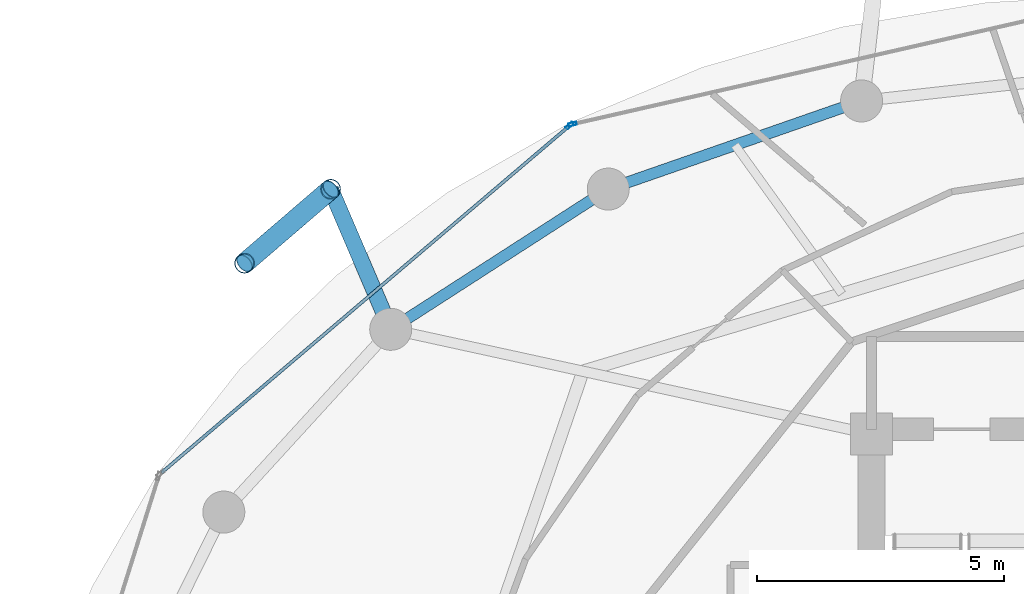
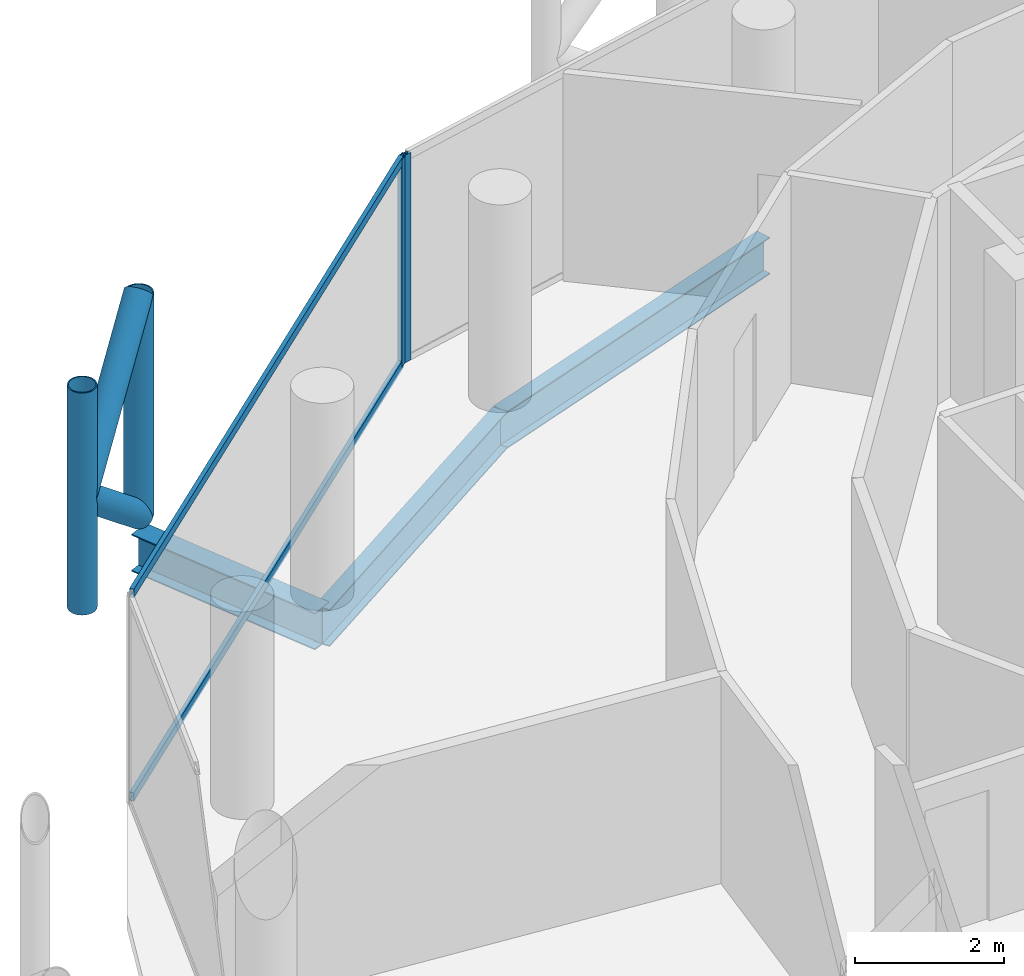
# One storey, part 18 of 27: 8 members, 3 beams, 2 elements without a shape of their own.
"""IFC4 building model written with IfcOpenShell, lengths in metres."""

from ifc_helpers import new_model, si_unit, direction, frame, origin, origin_2d, place, context, subcontext, project, spatial, hollow_rectangle, hollow_circle, i_section, extrude, material, layer, layer_set, material_profile, profile_set, type_object, element, aggregate, save


model = new_model("IFC4")

# Units and contexts
model_context = context("Model", 3, precision=1e-05, world=origin(), true_north=direction((0.0, 1.0)))
body_context = subcontext(model_context, "Body", "Model", "MODEL_VIEW")
ifc_project = project(units=[si_unit("LENGTHUNIT", "METRE"), si_unit("AREAUNIT", "SQUARE_METRE"), si_unit("VOLUMEUNIT", "CUBIC_METRE"), si_unit("PLANEANGLEUNIT", "RADIAN"), si_unit("MASSUNIT", "GRAM", prefix="KILO")], contexts=[model_context])

# Site, building, storey
site_placement = place(None, origin())
site = spatial("IfcSite", under=ifc_project, at=site_placement, CompositionType="ELEMENT")
building_placement = place(site_placement, origin())
building = spatial("IfcBuilding", under=site, at=building_placement, Name="Nuhasar Tower", CompositionType="ELEMENT")
storey_placement = place(building_placement, frame((0.0, 0.0, 244.64990234375)))
storey = spatial("IfcBuildingStorey", under=building, at=storey_placement, Name="L60", CompositionType="ELEMENT", Elevation=244.64990234375)

# Beams
ifc_material_1 = material(Name="Steel S355", Category="steel")
ifc_material_profile_1 = material_profile(ifc_material_1, i_section(OverallWidth=0.22802734375, OverallDepth=0.60791015625, WebThickness=0.01123046875, FlangeThickness=0.017333984375, at=origin_2d()), Name="W24X76")
ifc_profile_set_1 = profile_set([ifc_material_profile_1], Name="Steel S355")
beam_type_1 = type_object("IfcBeamType", Name="BM-RING-W24X76", PredefinedType="SPANDREL", material=ifc_profile_set_1)
beam_1_placement = place(storey_placement, frame((33.5, 44.0419921875, -0.5439453125), z_axis=(-0.944476764686, -0.328578211342, 0.0), x_axis=(0.328578211342, -0.944476764686, 0.0)))
element("IfcBeam", 1, at=beam_1_placement, inside=storey, type_object=beam_type_1, Name="L60 Perimeter Ring Spandrel 08", PredefinedType="SPANDREL", context=body_context, shape_type="SweptSolid", body=[
    extrude(i_section(OverallWidth=0.22802734375, OverallDepth=0.60791015625, WebThickness=0.01123046875, FlangeThickness=0.017333984375, at=origin_2d()), origin(), (0.0, 0.0, 1.0), 5.42626953125),
])
beam_2_placement = place(storey_placement, frame((28.375, 42.259033203125, -0.5439453125), z_axis=(-0.840502144969, -0.541808217272, 0.0), x_axis=(0.541808217272, -0.840502144969, 0.0)))
element("IfcBeam", 2, at=beam_2_placement, inside=storey, type_object=beam_type_1, Name="L60 Perimeter Ring Spandrel 09", PredefinedType="SPANDREL", context=body_context, shape_type="SweptSolid", body=[
    extrude(i_section(OverallWidth=0.22802734375, OverallDepth=0.60791015625, WebThickness=0.01123046875, FlangeThickness=0.017333984375, at=origin_2d()), origin(), (0.0, 0.0, 1.0), 5.236083984375),
])
ifc_material_profile_2 = material_profile(ifc_material_1, i_section(OverallWidth=0.323974609375, OverallDepth=0.611083984375, WebThickness=0.0126953125, FlangeThickness=0.01904296875, at=origin_2d()), Name="W24X104")
ifc_profile_set_2 = profile_set([ifc_material_profile_2], Name="Steel S355")
beam_type_2 = type_object("IfcBeamType", Name="BM-TIE-W24X104", PredefinedType="BEAM", material=ifc_profile_set_2)
beam_3_placement = place(storey_placement, frame((23.97412109375, 39.422119140625, -0.544921875), z_axis=(-0.393680429682, 0.919247365667, 0.0), x_axis=(-0.919247365667, -0.393680429682, 0.0)))
element("IfcBeam", 3, at=beam_3_placement, inside=storey, type_object=beam_type_2, Name="L60 Exoskeleton Node Tie Beam 05", PredefinedType="BEAM", context=body_context, shape_type="SweptSolid", body=[
    extrude(i_section(OverallWidth=0.323974609375, OverallDepth=0.611083984375, WebThickness=0.0126953125, FlangeThickness=0.01904296875, at=origin_2d()), origin(), (0.0, 0.0, 1.0), 3.083984375),
])

# Curtain wall, member
ifc_material_2 = material(Name="Aluminium 6063-T6", Category="aluminium")
ifc_layer = layer(ifc_material_2, 0.18994140625)
ifc_layer_set = layer_set([ifc_layer], Name="Aluminium 6063-T6")
curtain_wall_type = type_object("IfcCurtainWallType", Name="CW-Z3-RES", PredefinedType="NOTDEFINED", material=ifc_layer_set)
curtain_wall_1_placement = place(storey_placement, origin())
curtain_wall_1 = element("IfcCurtainWall", 4, at=curtain_wall_1_placement, inside=storey, type_object=curtain_wall_type, Name="L60 Unitised Curtain Wall 04", PredefinedType="NOTDEFINED")
ifc_material_profile_3 = material_profile(ifc_material_2, hollow_rectangle(XDim=0.06494140625, YDim=0.169921875, WallThickness=0.0048828125, at=origin_2d()), Name="CWM-4")
ifc_profile_set_3 = profile_set([ifc_material_profile_3], Name="Aluminium 6063-T6")
member_type_1 = type_object("IfcMemberType", Name="CW-MUL-S4", PredefinedType="MULLION", material=ifc_profile_set_3)
member_1_placement = place(storey_placement, frame((27.651611328125, 43.5732421875, 0.0), z_axis=(0.0, 0.0, 1.0), x_axis=(0.222243176313, -0.974991266926, 0.0)))
member_1 = element("IfcMember", 5, at=member_1_placement, type_object=member_type_1, Name="CW-Z3 mullion 2", PredefinedType="MULLION", context=body_context, shape_type="SweptSolid", body=[
    extrude(hollow_rectangle(XDim=0.06494140625, YDim=0.169921875, WallThickness=0.0048828125, at=origin_2d()), origin(), (0.0, 0.0, 1.0), 3.41015625),
])
aggregate(curtain_wall_1, [member_1])

# Curtain wall, members
curtain_wall_2_placement = place(storey_placement, origin())
curtain_wall_2 = element("IfcCurtainWall", 6, at=curtain_wall_2_placement, inside=storey, type_object=curtain_wall_type, Name="L60 Unitised Curtain Wall 05", PredefinedType="NOTDEFINED")
member_2_placement = place(storey_placement, frame((27.59521484375, 43.544921875, 0.0), z_axis=(0.0, 0.0, 1.0), x_axis=(0.64789521578, -0.761729472562, 0.0)))
member_2 = element("IfcMember", 7, at=member_2_placement, type_object=member_type_1, Name="CW-Z3 mullion 1", PredefinedType="MULLION", context=body_context, shape_type="SweptSolid", body=[
    extrude(hollow_rectangle(XDim=0.06494140625, YDim=0.169921875, WallThickness=0.0048828125, at=origin_2d()), origin(), (0.0, 0.0, 1.0), 3.41015625),
])
ifc_material_profile_4 = material_profile(ifc_material_2, hollow_rectangle(XDim=0.06494140625, YDim=0.139892578125, WallThickness=0.00439453125, at=origin_2d()), Name="CWT-4")
ifc_profile_set_4 = profile_set([ifc_material_profile_4], Name="Aluminium 6063-T6")
member_type_2 = type_object("IfcMemberType", Name="CW-TRN-S4", PredefinedType="USERDEFINED", material=ifc_profile_set_4)
member_3_placement = place(storey_placement, frame((27.570556640625, 43.52392578125, 0.03271484375), z_axis=(-0.761730809511, -0.647893643928, 0.0), x_axis=(0.647893643928, -0.761730809511, 0.0)))
member_3 = element("IfcMember", 8, at=member_3_placement, type_object=member_type_2, Name="CW-Z3 transom 1.1", ObjectType="TRANSOM", PredefinedType="USERDEFINED", context=body_context, shape_type="SweptSolid", body=[
    extrude(hollow_rectangle(XDim=0.06494140625, YDim=0.139892578125, WallThickness=0.00439453125, at=origin_2d()), origin(), (0.0, 0.0, 1.0), 10.806884765625),
])
member_4_placement = place(storey_placement, frame((27.570556640625, 43.52392578125, 3.377685546875), z_axis=(-0.761730809511, -0.647893643928, 0.0), x_axis=(0.647893643928, -0.761730809511, 0.0)))
member_4 = element("IfcMember", 9, at=member_4_placement, type_object=member_type_2, Name="CW-Z3 transom 1.2", ObjectType="TRANSOM", PredefinedType="USERDEFINED", context=body_context, shape_type="SweptSolid", body=[
    extrude(hollow_rectangle(XDim=0.06494140625, YDim=0.139892578125, WallThickness=0.00439453125, at=origin_2d()), origin(), (0.0, 0.0, 1.0), 10.806884765625),
])
aggregate(curtain_wall_2, [member_2, member_3, member_4])

# Members
ifc_material_3 = material(Name="Steel S460", Category="steel")
ifc_material_profile_5 = material_profile(ifc_material_3, hollow_circle(Radius=0.203125, WallThickness=0.01904296875, at=origin_2d()), Name="HSS406.4X19.1")
ifc_profile_set_5 = profile_set([ifc_material_profile_5], Name="Steel S460")
member_type_3 = type_object("IfcMemberType", Name="EXO-BRONZE-406", PredefinedType="BRACE", material=ifc_profile_set_5)
for number, where, z_axis, x_axis, name in (
    (10, (22.760009765625, 42.257080078125, 0.0), (0.0, 0.0, 1.0), (1.0, 0.0, 0.0), "L60 Exoskeleton Chord Column EC-05A"),
    (11, (21.01611328125, 40.758056640625, 0.0), (0.0, 0.0, 1.0), (1.0, 0.0, 0.0), "L60 Exoskeleton Chord Column EC-05B"),
):
    element("IfcMember", number, at=place(storey_placement, frame(where, z_axis=z_axis, x_axis=x_axis)), inside=storey, type_object=member_type_3, Name=name, PredefinedType="BRACE", context=body_context, shape_type="SweptSolid", body=[
        extrude(hollow_circle(Radius=0.203125, WallThickness=0.01904296875, at=origin_2d()), origin(), (0.0, 0.0, 1.0), 3.650146484375),
    ])
for number, where, z_axis, x_axis, name in (
    (12, (22.760009765625, 42.257080078125, 0.0), (-0.593987827832, -0.51058172517, 0.621678986543), (0.65185738425, -0.758341579104, 0.0), "L60 Bronze Diagrid Brace W1-05"),
    (13, (21.01611328125, 40.758056640625, 1.8251953125), (0.594018535389, 0.510608120858, 0.621627964725), (-0.65185738425, 0.758341579104, 0.0), "L60 Bronze Diagrid Brace W2-05"),
):
    element("IfcMember", number, at=place(storey_placement, frame(where, z_axis=z_axis, x_axis=x_axis)), inside=storey, type_object=member_type_3, Name=name, PredefinedType="BRACE", context=body_context, shape_type="SweptSolid", body=[
        extrude(hollow_circle(Radius=0.203125, WallThickness=0.01904296875, at=origin_2d()), origin(), (0.0, 0.0, 1.0), 2.935791015625),
    ])

save(model, "model.ifc")
